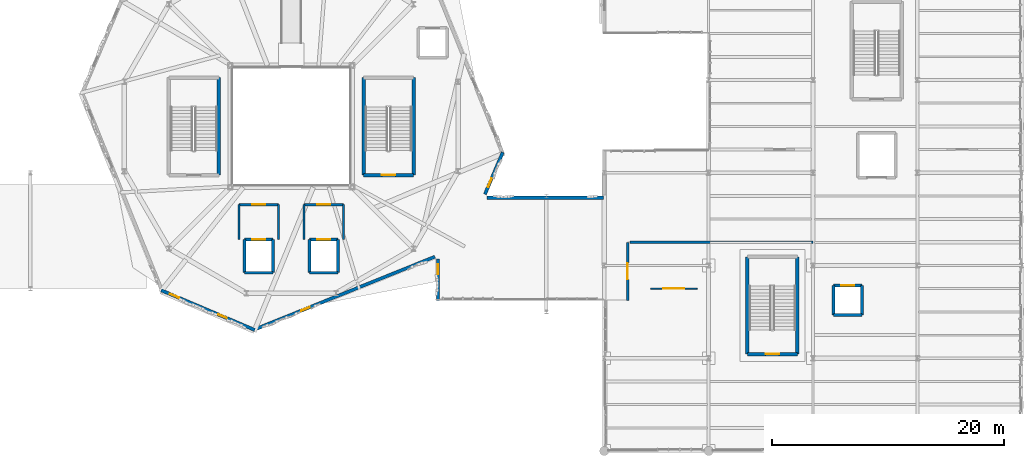
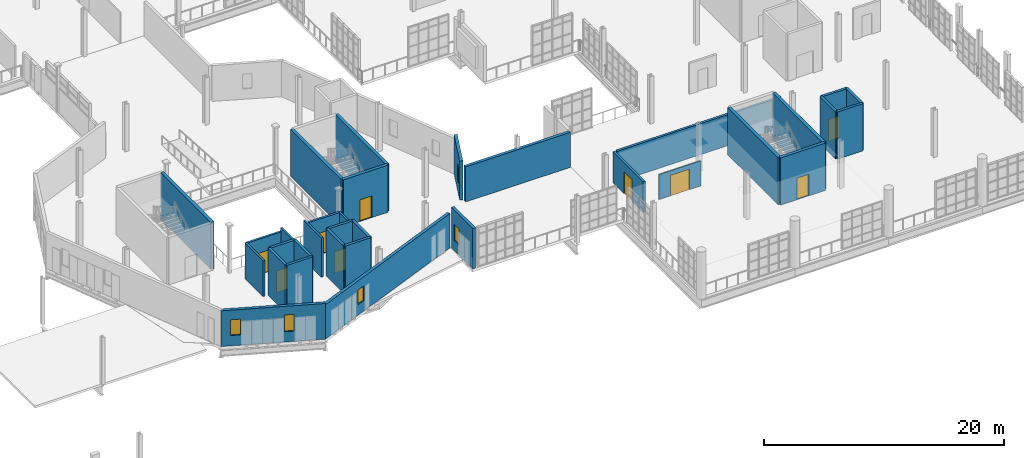
# One storey, part 99 of 122: 33 walls, 9 doors, 5 windows, 14 openings.
"""IFC4 building model written with IfcOpenShell, lengths in metres."""

from ifc_helpers import new_model, si_unit, direction, frame, frame_2d, origin, place, context, subcontext, project, spatial, rectangle, extrude, material, layer, layer_set, type_object, element, fill, save


model = new_model("IFC4")

# Units and contexts
model_context = context("Model", 3, precision=1e-05, world=origin(), true_north=direction((0.0, 1.0)))
body_context = subcontext(model_context, "Body", "Model", "MODEL_VIEW")
ifc_project = project(units=[si_unit("LENGTHUNIT", "METRE"), si_unit("AREAUNIT", "SQUARE_METRE"), si_unit("VOLUMEUNIT", "CUBIC_METRE"), si_unit("PLANEANGLEUNIT", "RADIAN"), si_unit("MASSUNIT", "GRAM", prefix="KILO"), si_unit("THERMODYNAMICTEMPERATUREUNIT", "KELVIN"), si_unit("POWERUNIT", "WATT")], contexts=[model_context])

# Site, building, storey
site_placement = place(None, origin())
site = spatial("IfcSite", under=ifc_project, at=site_placement, CompositionType="ELEMENT")
building_placement = place(site_placement, origin())
building = spatial("IfcBuilding", under=site, at=building_placement, Name="Zelmaris Science Centre", CompositionType="ELEMENT")
storey_placement = place(building_placement, frame((0.0, 0.0, 10.800048828125)))
storey = spatial("IfcBuildingStorey", under=building, at=storey_placement, Name="L02", CompositionType="ELEMENT", Elevation=10.800048828125)

# Wall
ifc_material_1 = material(Name="Concrete C40/50", Category="concrete")
ifc_layer_1 = layer(ifc_material_1, 0.300048828125, Name="Concrete C40/50")
ifc_layer_set_1 = layer_set([ifc_layer_1], Name="Concrete C40/50")
wall_type_1 = type_object("IfcWallType", Name="Core Shear Wall CW-S1 300mm", PredefinedType="SOLIDWALL", material=ifc_layer_set_1)
wall_1_placement = place(storey_placement, frame((74.75, 31.800048828125, 0.0), z_axis=(0.0, 0.0, 1.0), x_axis=(0.0, 1.0, 0.0)))
element("IfcWall", 1, at=wall_1_placement, inside=storey, type_object=wall_type_1, Name="L02 ST-1 core shear wall east", PredefinedType="SOLIDWALL", context=body_context, shape_type="SweptSolid", body=[
    extrude(rectangle(XDim=8.39990234375, YDim=0.300048828125, at=frame_2d((4.199951171875, 0.0))), origin(), (0.0, 0.0, 1.0), 4.800048828125),
])

# Wall, opening, door
wall_2_placement = place(storey_placement, frame((91.550048828125, 31.800048828125, 0.0), z_axis=(0.0, 0.0, 1.0), x_axis=(-1.0, 0.0, 0.0)))
wall_2 = element("IfcWall", 2, at=wall_2_placement, inside=storey, type_object=wall_type_1, Name="L02 ST-2 core shear wall near", PredefinedType="SOLIDWALL", context=body_context, shape_type="SweptSolid", body=[
    extrude(rectangle(XDim=4.300048828125, YDim=0.300048828125, at=frame_2d((2.14990234375, 0.0))), origin(), (0.0, 0.0, 1.0), 4.800048828125),
])
opening_1_placement = place(wall_2_placement, frame((1.574951171875, 0.0, 0.0)))
opening_1 = element("IfcOpeningElement", 3, at=opening_1_placement, cuts=wall_2, Name="Opening D-FD90", PredefinedType="OPENING", context=body_context, shape_type="SweptSolid", body=[
    extrude(rectangle(XDim=1.14990234375, YDim=2.199951171875, at=frame_2d((0.574951171875, 1.10009765625))), frame((0.0, 0.159912109375, 0.0), z_axis=(0.0, -1.0, 0.0), x_axis=(1.0, 0.0, 0.0)), (0.0, 0.0, 1.0), 0.320068359375),
])
ifc_material_2 = material(Name="Steel ASTM A36", Category="steel")
door_type_1 = type_object("IfcDoorType", Name="Interior Door D-FD90 1150x2200", OperationType="NOTDEFINED", PredefinedType="DOOR", material=ifc_material_2)
door_1_placement = place(opening_1_placement, origin())
door_1 = element("IfcDoor", 4, at=door_1_placement, inside=storey, type_object=door_type_1, Name="L02 ST-2 exit stair fire door", OperationType="SINGLE_SWING_LEFT", OverallHeight=2.199951171875, OverallWidth=1.14990234375, PredefinedType="DOOR", context=body_context, shape_type="SweptSolid", body=[
    extrude(rectangle(XDim=1.14990234375, YDim=2.199951171875, at=frame_2d((0.574951171875, 1.10009765625))), frame((0.0, 0.02490234375, 0.0), z_axis=(0.0, -1.0, 0.0), x_axis=(1.0, 0.0, 0.0)), (0.0, 0.0, 1.0), 0.050048828125),
])
fill(opening_1, door_1)

# Walls
for number, where, z_axis, x_axis, name in (
    (5, (91.550048828125, 31.800048828125, 0.0), (0.0, 0.0, 1.0), (0.0, 1.0, 0.0), "L02 ST-2 core shear wall east"),
    (6, (87.25, 31.800048828125, 0.0), (0.0, 0.0, 1.0), (0.0, 1.0, 0.0), "L02 ST-2 core shear wall west"),
):
    element("IfcWall", number, at=place(storey_placement, frame(where, z_axis=z_axis, x_axis=x_axis)), inside=storey, type_object=wall_type_1, Name=name, PredefinedType="SOLIDWALL", context=body_context, shape_type="SweptSolid", body=[
        extrude(rectangle(XDim=8.39990234375, YDim=0.300048828125, at=frame_2d((4.199951171875, 0.0))), origin(), (0.0, 0.0, 1.0), 4.800048828125),
    ])

# Wall, opening, door
wall_3_placement = place(storey_placement, frame((124.64990234375, 16.35009765625, 0.0), z_axis=(0.0, 0.0, 1.0), x_axis=(-1.0, 0.0, 0.0)))
wall_3 = element("IfcWall", 7, at=wall_3_placement, inside=storey, type_object=wall_type_1, Name="L02 ST-4 core shear wall near", PredefinedType="SOLIDWALL", context=body_context, shape_type="SweptSolid", body=[
    extrude(rectangle(XDim=4.2998046875, YDim=0.300048828125, at=frame_2d((2.14990234375, 0.0))), origin(), (0.0, 0.0, 1.0), 4.800048828125),
])
opening_2_placement = place(wall_3_placement, frame((1.574951171875, 0.0, 0.0)))
opening_2 = element("IfcOpeningElement", 8, at=opening_2_placement, cuts=wall_3, Name="Opening D-FD90", PredefinedType="OPENING", context=body_context, shape_type="SweptSolid", body=[
    extrude(rectangle(XDim=1.14990234375, YDim=2.199951171875, at=frame_2d((0.574951171875, 1.10009765625))), frame((0.0, 0.159912109375, 0.0), z_axis=(0.0, -1.0, 0.0), x_axis=(1.0, 0.0, 0.0)), (0.0, 0.0, 1.0), 0.320068359375),
])
door_2_placement = place(opening_2_placement, origin())
door_2 = element("IfcDoor", 9, at=door_2_placement, inside=storey, type_object=door_type_1, Name="L02 ST-4 exit stair fire door", OperationType="SINGLE_SWING_LEFT", OverallHeight=2.199951171875, OverallWidth=1.14990234375, PredefinedType="DOOR", context=body_context, shape_type="SweptSolid", body=[
    extrude(rectangle(XDim=1.14990234375, YDim=2.199951171875, at=frame_2d((0.574951171875, 1.10009765625))), frame((0.0, 0.02490234375, 0.0), z_axis=(0.0, -1.0, 0.0), x_axis=(1.0, 0.0, 0.0)), (0.0, 0.0, 1.0), 0.050048828125),
])
fill(opening_2, door_2)

# Walls
for number, where, z_axis, x_axis, name in (
    (10, (124.64990234375, 16.35009765625, 0.0), (0.0, 0.0, 1.0), (0.0, 1.0, 0.0), "L02 ST-4 core shear wall east"),
    (11, (120.35009765625, 16.35009765625, 0.0), (0.0, 0.0, 1.0), (0.0, 1.0, 0.0), "L02 ST-4 core shear wall west"),
):
    element("IfcWall", number, at=place(storey_placement, frame(where, z_axis=z_axis, x_axis=x_axis)), inside=storey, type_object=wall_type_1, Name=name, PredefinedType="SOLIDWALL", context=body_context, shape_type="SweptSolid", body=[
        extrude(rectangle(XDim=8.39990234375, YDim=0.300048828125, at=frame_2d((4.199951171875, 0.0))), origin(), (0.0, 0.0, 1.0), 4.800048828125),
    ])
ifc_layer_2 = layer(ifc_material_1, 0.25, Name="Concrete C40/50")
ifc_layer_set_2 = layer_set([ifc_layer_2], Name="Concrete C40/50")
wall_type_2 = type_object("IfcWallType", Name="Core Shear Wall CW-S2 250mm", PredefinedType="SOLIDWALL", material=ifc_layer_set_2)
wall_4_placement = place(storey_placement, frame((76.97509765625, 23.375, 0.0), z_axis=(0.0, 0.0, 1.0), x_axis=(1.0, 0.0, 0.0)))
element("IfcWall", 12, at=wall_4_placement, inside=storey, type_object=wall_type_2, Name="L02 FL-01 lift shaft wall -y", PredefinedType="SOLIDWALL", context=body_context, shape_type="SweptSolid", body=[
    extrude(rectangle(XDim=2.449951171875, YDim=0.25, at=frame_2d((1.22509765625, 0.0))), origin(), (0.0, 0.0, 1.0), 4.800048828125),
])
wall_5_placement = place(storey_placement, frame((79.425048828125, 23.375, 0.0), z_axis=(0.0, 0.0, 1.0), x_axis=(0.0, 1.0, 0.0)))
element("IfcWall", 13, at=wall_5_placement, inside=storey, type_object=wall_type_2, Name="L02 FL-01 lift shaft wall +x", PredefinedType="SOLIDWALL", context=body_context, shape_type="SweptSolid", body=[
    extrude(rectangle(XDim=2.85009765625, YDim=0.25, at=frame_2d((1.425048828125, 0.0))), origin(), (0.0, 0.0, 1.0), 4.800048828125),
])

# Wall, opening, door
wall_6_placement = place(storey_placement, frame((79.425048828125, 26.22509765625, 0.0), z_axis=(0.0, 0.0, 1.0), x_axis=(-1.0, 0.0, 0.0)))
wall_6 = element("IfcWall", 14, at=wall_6_placement, inside=storey, type_object=wall_type_2, Name="L02 FL-01 lift shaft wall +y", PredefinedType="SOLIDWALL", context=body_context, shape_type="SweptSolid", body=[
    extrude(rectangle(XDim=2.449951171875, YDim=0.25, at=frame_2d((1.22509765625, 0.0))), origin(), (0.0, 0.0, 1.0), 4.800048828125),
])
opening_3_placement = place(wall_6_placement, frame((0.675048828125, 0.0, 0.0)))
opening_3 = element("IfcOpeningElement", 15, at=opening_3_placement, cuts=wall_6, Name="Opening LD-01", PredefinedType="OPENING", context=body_context, shape_type="SweptSolid", body=[
    extrude(rectangle(XDim=1.10009765625, YDim=2.199951171875, at=frame_2d((0.550048828125, 1.10009765625))), frame((0.0, 0.135009765625, 0.0), z_axis=(0.0, -1.0, 0.0), x_axis=(1.0, 0.0, 0.0)), (0.0, 0.0, 1.0), 0.27001953125),
])
door_type_2 = type_object("IfcDoorType", Name="Interior Door LD-01 1100x2200", OperationType="SLIDING_TO_LEFT", PredefinedType="DOOR", material=ifc_material_2)
door_3_placement = place(opening_3_placement, origin())
door_3 = element("IfcDoor", 16, at=door_3_placement, inside=storey, type_object=door_type_2, Name="Landing door LD-FL-01-L02", OperationType="SLIDING_TO_LEFT", OverallHeight=2.199951171875, OverallWidth=1.10009765625, PredefinedType="DOOR", context=body_context, shape_type="SweptSolid", body=[
    extrude(rectangle(XDim=1.10009765625, YDim=2.199951171875, at=frame_2d((0.550048828125, 1.10009765625))), frame((0.0, 0.02490234375, 0.0), z_axis=(0.0, -1.0, 0.0), x_axis=(1.0, 0.0, 0.0)), (0.0, 0.0, 1.0), 0.050048828125),
])
fill(opening_3, door_3)

# Walls
wall_7_placement = place(storey_placement, frame((76.97509765625, 26.22509765625, 0.0), z_axis=(0.0, 0.0, 1.0), x_axis=(0.0, -1.0, 0.0)))
element("IfcWall", 17, at=wall_7_placement, inside=storey, type_object=wall_type_2, Name="L02 FL-01 lift shaft wall -x", PredefinedType="SOLIDWALL", context=body_context, shape_type="SweptSolid", body=[
    extrude(rectangle(XDim=2.85009765625, YDim=0.25, at=frame_2d((1.425048828125, 0.0))), origin(), (0.0, 0.0, 1.0), 4.800048828125),
])
wall_8_placement = place(storey_placement, frame((82.574951171875, 23.375, 0.0), z_axis=(0.0, 0.0, 1.0), x_axis=(1.0, 0.0, 0.0)))
element("IfcWall", 18, at=wall_8_placement, inside=storey, type_object=wall_type_2, Name="L02 FL-02 lift shaft wall -y", PredefinedType="SOLIDWALL", context=body_context, shape_type="SweptSolid", body=[
    extrude(rectangle(XDim=2.449951171875, YDim=0.25, at=frame_2d((1.22509765625, 0.0))), origin(), (0.0, 0.0, 1.0), 4.800048828125),
])
wall_9_placement = place(storey_placement, frame((85.02490234375, 23.375, 0.0), z_axis=(0.0, 0.0, 1.0), x_axis=(0.0, 1.0, 0.0)))
element("IfcWall", 19, at=wall_9_placement, inside=storey, type_object=wall_type_2, Name="L02 FL-02 lift shaft wall +x", PredefinedType="SOLIDWALL", context=body_context, shape_type="SweptSolid", body=[
    extrude(rectangle(XDim=2.85009765625, YDim=0.25, at=frame_2d((1.425048828125, 0.0))), origin(), (0.0, 0.0, 1.0), 4.800048828125),
])

# Wall, opening, door
wall_10_placement = place(storey_placement, frame((85.02490234375, 26.22509765625, 0.0), z_axis=(0.0, 0.0, 1.0), x_axis=(-1.0, 0.0, 0.0)))
wall_10 = element("IfcWall", 20, at=wall_10_placement, inside=storey, type_object=wall_type_2, Name="L02 FL-02 lift shaft wall +y", PredefinedType="SOLIDWALL", context=body_context, shape_type="SweptSolid", body=[
    extrude(rectangle(XDim=2.449951171875, YDim=0.25, at=frame_2d((1.22509765625, 0.0))), origin(), (0.0, 0.0, 1.0), 4.800048828125),
])
opening_4_placement = place(wall_10_placement, frame((0.675048828125, 0.0, 0.0)))
opening_4 = element("IfcOpeningElement", 21, at=opening_4_placement, cuts=wall_10, Name="Opening LD-01", PredefinedType="OPENING", context=body_context, shape_type="SweptSolid", body=[
    extrude(rectangle(XDim=1.10009765625, YDim=2.199951171875, at=frame_2d((0.550048828125, 1.10009765625))), frame((0.0, 0.135009765625, 0.0), z_axis=(0.0, -1.0, 0.0), x_axis=(1.0, 0.0, 0.0)), (0.0, 0.0, 1.0), 0.27001953125),
])
door_4_placement = place(opening_4_placement, origin())
door_4 = element("IfcDoor", 22, at=door_4_placement, inside=storey, type_object=door_type_2, Name="Landing door LD-FL-02-L02", OperationType="SLIDING_TO_LEFT", OverallHeight=2.199951171875, OverallWidth=1.10009765625, PredefinedType="DOOR", context=body_context, shape_type="SweptSolid", body=[
    extrude(rectangle(XDim=1.10009765625, YDim=2.199951171875, at=frame_2d((0.550048828125, 1.10009765625))), frame((0.0, 0.02490234375, 0.0), z_axis=(0.0, -1.0, 0.0), x_axis=(1.0, 0.0, 0.0)), (0.0, 0.0, 1.0), 0.050048828125),
])
fill(opening_4, door_4)

# Walls
wall_11_placement = place(storey_placement, frame((82.574951171875, 26.22509765625, 0.0), z_axis=(0.0, 0.0, 1.0), x_axis=(0.0, -1.0, 0.0)))
element("IfcWall", 23, at=wall_11_placement, inside=storey, type_object=wall_type_2, Name="L02 FL-02 lift shaft wall -x", PredefinedType="SOLIDWALL", context=body_context, shape_type="SweptSolid", body=[
    extrude(rectangle(XDim=2.85009765625, YDim=0.25, at=frame_2d((1.425048828125, 0.0))), origin(), (0.0, 0.0, 1.0), 4.800048828125),
])
wall_12_placement = place(storey_placement, frame((127.77490234375, 19.72509765625, 0.0), z_axis=(0.0, 0.0, 1.0), x_axis=(1.0, 0.0, 0.0)))
element("IfcWall", 24, at=wall_12_placement, inside=storey, type_object=wall_type_2, Name="L02 LP-02 lift shaft wall -y", PredefinedType="SOLIDWALL", context=body_context, shape_type="SweptSolid", body=[
    extrude(rectangle(XDim=2.4501953125, YDim=0.25, at=frame_2d((1.22509765625, 0.0))), origin(), (0.0, 0.0, 1.0), 4.800048828125),
])
wall_13_placement = place(storey_placement, frame((130.22509765625, 19.72509765625, 0.0), z_axis=(0.0, 0.0, 1.0), x_axis=(0.0, 1.0, 0.0)))
element("IfcWall", 25, at=wall_13_placement, inside=storey, type_object=wall_type_2, Name="L02 LP-02 lift shaft wall +x", PredefinedType="SOLIDWALL", context=body_context, shape_type="SweptSolid", body=[
    extrude(rectangle(XDim=2.5498046875, YDim=0.25, at=frame_2d((1.27490234375, 0.0))), origin(), (0.0, 0.0, 1.0), 4.800048828125),
])

# Wall, opening, door
wall_14_placement = place(storey_placement, frame((130.22509765625, 22.27490234375, 0.0), z_axis=(0.0, 0.0, 1.0), x_axis=(-1.0, 0.0, 0.0)))
wall_14 = element("IfcWall", 26, at=wall_14_placement, inside=storey, type_object=wall_type_2, Name="L02 LP-02 lift shaft wall +y", PredefinedType="SOLIDWALL", context=body_context, shape_type="SweptSolid", body=[
    extrude(rectangle(XDim=2.4501953125, YDim=0.25, at=frame_2d((1.22509765625, 0.0))), origin(), (0.0, 0.0, 1.0), 4.800048828125),
])
opening_5_placement = place(wall_14_placement, frame((0.675048828125, 0.0, 0.0)))
opening_5 = element("IfcOpeningElement", 27, at=opening_5_placement, cuts=wall_14, Name="Opening LD-01", PredefinedType="OPENING", context=body_context, shape_type="SweptSolid", body=[
    extrude(rectangle(XDim=1.10009765625, YDim=2.199951171875, at=frame_2d((0.550048828125, 1.10009765625))), frame((0.0, 0.135009765625, 0.0), z_axis=(0.0, -1.0, 0.0), x_axis=(1.0, 0.0, 0.0)), (0.0, 0.0, 1.0), 0.27001953125),
])
door_5_placement = place(opening_5_placement, origin())
door_5 = element("IfcDoor", 28, at=door_5_placement, inside=storey, type_object=door_type_2, Name="Landing door LD-LP-02-L02", OperationType="SLIDING_TO_LEFT", OverallHeight=2.199951171875, OverallWidth=1.10009765625, PredefinedType="DOOR", context=body_context, shape_type="SweptSolid", body=[
    extrude(rectangle(XDim=1.10009765625, YDim=2.199951171875, at=frame_2d((0.550048828125, 1.10009765625))), frame((0.0, 0.02490234375, 0.0), z_axis=(0.0, -1.0, 0.0), x_axis=(1.0, 0.0, 0.0)), (0.0, 0.0, 1.0), 0.050048828125),
])
fill(opening_5, door_5)

# Wall
wall_15_placement = place(storey_placement, frame((127.77490234375, 22.27490234375, 0.0), z_axis=(0.0, 0.0, 1.0), x_axis=(0.0, -1.0, 0.0)))
element("IfcWall", 29, at=wall_15_placement, inside=storey, type_object=wall_type_2, Name="L02 LP-02 lift shaft wall -x", PredefinedType="SOLIDWALL", context=body_context, shape_type="SweptSolid", body=[
    extrude(rectangle(XDim=2.5498046875, YDim=0.25, at=frame_2d((1.27490234375, 0.0))), origin(), (0.0, 0.0, 1.0), 4.800048828125),
])

# Wall, opening, window
ifc_material_3 = material(Name="Precast concrete C40/50", Category="concrete")
ifc_layer_3 = layer(ifc_material_3, 0.280029296875, Name="Precast concrete C40/50")
ifc_layer_set_3 = layer_set([ifc_layer_3], Name="Precast concrete C40/50")
wall_type_3 = type_object("IfcWallType", Name="Exterior Wall EW-05 280mm", PredefinedType="SOLIDWALL", material=ifc_layer_set_3)
wall_16_placement = place(storey_placement, frame((93.66015625, 21.0, 0.0), z_axis=(0.0, 0.0, 1.0), x_axis=(-6.8851556e-05, 0.99999999763, 0.0)))
wall_16 = element("IfcWall", 30, at=wall_16_placement, inside=storey, type_object=wall_type_3, Name="L02 Exterior wall 88", PredefinedType="SOLIDWALL", context=body_context, shape_type="SweptSolid", body=[
    extrude(rectangle(XDim=3.5458984375, YDim=0.280029296875, at=frame_2d((1.77294921875, 0.0))), origin(), (0.0, 0.0, 1.0), 4.119873046875),
])
opening_6_placement = place(wall_16_placement, frame((2.247802734375, 0.0, 1.050048828125)))
opening_6 = element("IfcOpeningElement", 31, at=opening_6_placement, cuts=wall_16, Name="Opening W-TR3", PredefinedType="OPENING", context=body_context, shape_type="SweptSolid", body=[
    extrude(rectangle(XDim=0.85009765625, YDim=1.60009765625, at=frame_2d((0.425048828125, 0.800048828125))), frame((0.0, 0.14990234375, 0.0), z_axis=(0.0, -1.0, 0.0), x_axis=(1.0, 0.0, 0.0)), (0.0, 0.0, 1.0), 0.300048828125),
])
ifc_material_4 = material(Name="Laminated hurricane-rated low-E insulated glazing", Category="glass")
window_type_1 = type_object("IfcWindowType", Name="Window W-TR3 850x1600", PartitioningType="SINGLE_PANEL", PredefinedType="WINDOW", material=ifc_material_4)
window_1_placement = place(opening_6_placement, origin())
window_1 = element("IfcWindow", 32, at=window_1_placement, inside=storey, type_object=window_type_1, Name="L02 Triangular faceted window 42", OverallHeight=1.60009765625, OverallWidth=0.85009765625, PartitioningType="SINGLE_PANEL", PredefinedType="WINDOW", context=body_context, shape_type="SweptSolid", body=[
    extrude(rectangle(XDim=0.85009765625, YDim=1.60009765625, at=frame_2d((0.425048828125, 0.800048828125))), frame((0.0, 0.030029296875, 0.0), z_axis=(0.0, -1.0, 0.0), x_axis=(1.0, 0.0, 0.0)), (0.0, 0.0, 1.0), 0.06005859375),
])
fill(opening_6, window_1)

wall_17_placement = place(storey_placement, frame((93.39208984375, 24.7529296875, 0.0), z_axis=(0.0, 0.0, 1.0), x_axis=(-0.927410810768, -0.374044366448, 0.0)))
wall_17 = element("IfcWall", 33, at=wall_17_placement, inside=storey, type_object=wall_type_3, Name="L02 Exterior wall 89", PredefinedType="SOLIDWALL", context=body_context, shape_type="SweptSolid", body=[
    extrude(rectangle(XDim=16.883544921875, YDim=0.280029296875, at=frame_2d((8.44189453125, 0.0))), origin(), (0.0, 0.0, 1.0), 3.48388671875),
])
opening_7_placement = place(wall_17_placement, frame((11.641845703125, 0.0, 1.050048828125)))
opening_7 = element("IfcOpeningElement", 34, at=opening_7_placement, cuts=wall_17, Name="Opening W-TR1", PredefinedType="OPENING", context=body_context, shape_type="SweptSolid", body=[
    extrude(rectangle(XDim=0.800048828125, YDim=1.5, at=frame_2d((0.39990234375, 0.75))), frame((0.0, 0.14990234375, 0.0), z_axis=(0.0, -1.0, 0.0), x_axis=(1.0, 0.0, 0.0)), (0.0, 0.0, 1.0), 0.300048828125),
])
window_type_2 = type_object("IfcWindowType", Name="Window W-TR1 800x1500", PartitioningType="SINGLE_PANEL", PredefinedType="WINDOW", material=ifc_material_4)
window_2_placement = place(opening_7_placement, origin())
window_2 = element("IfcWindow", 35, at=window_2_placement, inside=storey, type_object=window_type_2, Name="L02 Triangular faceted window 43", OverallHeight=1.5, OverallWidth=0.800048828125, PartitioningType="SINGLE_PANEL", PredefinedType="WINDOW", context=body_context, shape_type="SweptSolid", body=[
    extrude(rectangle(XDim=0.800048828125, YDim=1.5, at=frame_2d((0.39990234375, 0.75))), frame((0.0, 0.030029296875, 0.0), z_axis=(0.0, -1.0, 0.0), x_axis=(1.0, 0.0, 0.0)), (0.0, 0.0, 1.0), 0.06005859375),
])
fill(opening_7, window_2)

# Wall, openings, windows
wall_18_placement = place(storey_placement, frame((77.8564453125, 18.4365234375, 0.0), z_axis=(0.0, 0.0, 1.0), x_axis=(-0.920511993367, 0.390714307478, 0.0)))
wall_18 = element("IfcWall", 36, at=wall_18_placement, inside=storey, type_object=wall_type_3, Name="L02 Exterior wall 90", PredefinedType="SOLIDWALL", context=body_context, shape_type="SweptSolid", body=[
    extrude(rectangle(XDim=8.76806640625, YDim=0.280029296875, at=frame_2d((4.384033203125, 0.0))), origin(), (0.0, 0.0, 1.0), 3.62890625),
])
opening_8_placement = place(wall_18_placement, frame((2.634033203125, 0.0, 1.050048828125)))
opening_8 = element("IfcOpeningElement", 37, at=opening_8_placement, cuts=wall_18, Name="Opening W-TR2", PredefinedType="OPENING", context=body_context, shape_type="SweptSolid", body=[
    extrude(rectangle(XDim=0.800048828125, YDim=1.699951171875, at=frame_2d((0.39990234375, 0.85009765625))), frame((0.0, 0.14990234375, 0.0), z_axis=(0.0, -1.0, 0.0), x_axis=(1.0, 0.0, 0.0)), (0.0, 0.0, 1.0), 0.300048828125),
])
opening_9_placement = place(wall_18_placement, frame((7.10888671875, 0.0, 1.050048828125)))
opening_9 = element("IfcOpeningElement", 38, at=opening_9_placement, cuts=wall_18, Name="Opening W-TR3", PredefinedType="OPENING", context=body_context, shape_type="SweptSolid", body=[
    extrude(rectangle(XDim=0.85009765625, YDim=1.60009765625, at=frame_2d((0.425048828125, 0.800048828125))), frame((0.0, 0.14990234375, 0.0), z_axis=(0.0, -1.0, 0.0), x_axis=(1.0, 0.0, 0.0)), (0.0, 0.0, 1.0), 0.300048828125),
])
window_type_3 = type_object("IfcWindowType", Name="Window W-TR2 800x1700", PartitioningType="SINGLE_PANEL", PredefinedType="WINDOW", material=ifc_material_4)
window_3_placement = place(opening_8_placement, origin())
window_3 = element("IfcWindow", 39, at=window_3_placement, inside=storey, type_object=window_type_3, Name="L02 Triangular faceted window 44", OverallHeight=1.699951171875, OverallWidth=0.800048828125, PartitioningType="SINGLE_PANEL", PredefinedType="WINDOW", context=body_context, shape_type="SweptSolid", body=[
    extrude(rectangle(XDim=0.800048828125, YDim=1.699951171875, at=frame_2d((0.39990234375, 0.85009765625))), frame((0.0, 0.030029296875, 0.0), z_axis=(0.0, -1.0, 0.0), x_axis=(1.0, 0.0, 0.0)), (0.0, 0.0, 1.0), 0.06005859375),
])
fill(opening_8, window_3)
window_4_placement = place(opening_9_placement, origin())
window_4 = element("IfcWindow", 40, at=window_4_placement, inside=storey, type_object=window_type_1, Name="L02 Triangular faceted window 45", OverallHeight=1.60009765625, OverallWidth=0.85009765625, PartitioningType="SINGLE_PANEL", PredefinedType="WINDOW", context=body_context, shape_type="SweptSolid", body=[
    extrude(rectangle(XDim=0.85009765625, YDim=1.60009765625, at=frame_2d((0.425048828125, 0.800048828125))), frame((0.0, 0.030029296875, 0.0), z_axis=(0.0, -1.0, 0.0), x_axis=(1.0, 0.0, 0.0)), (0.0, 0.0, 1.0), 0.06005859375),
])
fill(opening_9, window_4)

# Wall, opening, window
wall_19_placement = place(storey_placement, frame((99.245361328125, 33.764892578125, 0.0), z_axis=(0.0, 0.0, 1.0), x_axis=(-0.390731644119, -0.92050463458, 0.0)))
wall_19 = element("IfcWall", 41, at=wall_19_placement, inside=storey, type_object=wall_type_3, Name="L02 Exterior wall 104", PredefinedType="SOLIDWALL", context=body_context, shape_type="SweptSolid", body=[
    extrude(rectangle(XDim=3.931396484375, YDim=0.280029296875, at=frame_2d((1.9658203125, 0.0))), origin(), (0.0, 0.0, 1.0), 3.947021484375),
])
opening_10_placement = place(wall_19_placement, frame((2.4658203125, 0.0, 1.050048828125)))
opening_10 = element("IfcOpeningElement", 42, at=opening_10_placement, cuts=wall_19, Name="Opening W-TR2", PredefinedType="OPENING", context=body_context, shape_type="SweptSolid", body=[
    extrude(rectangle(XDim=0.800048828125, YDim=1.699951171875, at=frame_2d((0.39990234375, 0.85009765625))), frame((0.0, 0.14990234375, 0.0), z_axis=(0.0, -1.0, 0.0), x_axis=(1.0, 0.0, 0.0)), (0.0, 0.0, 1.0), 0.300048828125),
])
window_5_placement = place(opening_10_placement, origin())
window_5 = element("IfcWindow", 43, at=window_5_placement, inside=storey, type_object=window_type_3, Name="L02 Triangular faceted window 59", OverallHeight=1.699951171875, OverallWidth=0.800048828125, PartitioningType="SINGLE_PANEL", PredefinedType="WINDOW", context=body_context, shape_type="SweptSolid", body=[
    extrude(rectangle(XDim=0.800048828125, YDim=1.699951171875, at=frame_2d((0.39990234375, 0.85009765625))), frame((0.0, 0.030029296875, 0.0), z_axis=(0.0, -1.0, 0.0), x_axis=(1.0, 0.0, 0.0)), (0.0, 0.0, 1.0), 0.06005859375),
])
fill(opening_10, window_5)

# Walls
wall_20_placement = place(storey_placement, frame((97.878173828125, 29.85009765625, 0.0), z_axis=(0.0, 0.0, 1.0), x_axis=(0.999999619377, -0.000872494275, 0.0)))
element("IfcWall", 44, at=wall_20_placement, inside=storey, type_object=wall_type_3, Name="L02 Exterior wall 105", PredefinedType="SOLIDWALL", context=body_context, shape_type="SweptSolid", body=[
    extrude(rectangle(XDim=10.073486328125, YDim=0.280029296875, at=frame_2d((5.03662109375, 0.0))), origin(), (0.0, 0.0, 1.0), 3.572998046875),
])
ifc_material_5 = material(Name="Autoclaved aerated concrete blockwork", Category="masonry")
ifc_layer_4 = layer(ifc_material_5, 0.199951171875, Name="Autoclaved aerated concrete blockwork")
ifc_layer_set_4 = layer_set([ifc_layer_4], Name="Autoclaved aerated concrete blockwork")
wall_type_4 = type_object("IfcWallType", Name="Interior Wall FW-01 200mm", PredefinedType="SOLIDWALL", material=ifc_layer_set_4)
wall_21_placement = place(storey_placement, frame((76.5, 26.25, 0.0), z_axis=(0.0, 0.0, 1.0), x_axis=(0.0, 1.0, 0.0)))
element("IfcWall", 45, at=wall_21_placement, inside=storey, type_object=wall_type_4, Name="L02 Firefighting Lobby FL-01 wall W", PredefinedType="SOLIDWALL", context=body_context, shape_type="SweptSolid", body=[
    extrude(rectangle(XDim=3.0, YDim=0.199951171875, at=frame_2d((1.5, 0.0))), origin(), (0.0, 0.0, 1.0), 3.62890625),
])
wall_22_placement = place(storey_placement, frame((79.89990234375, 26.25, 0.0), z_axis=(0.0, 0.0, 1.0), x_axis=(0.0, 1.0, 0.0)))
element("IfcWall", 46, at=wall_22_placement, inside=storey, type_object=wall_type_4, Name="L02 Firefighting Lobby FL-01 wall E", PredefinedType="SOLIDWALL", context=body_context, shape_type="SweptSolid", body=[
    extrude(rectangle(XDim=3.0, YDim=0.199951171875, at=frame_2d((1.5, 0.0))), origin(), (0.0, 0.0, 1.0), 3.989990234375),
])

# Wall, opening, door
wall_23_placement = place(storey_placement, frame((76.5, 29.25, 0.0), z_axis=(0.0, 0.0, 1.0), x_axis=(1.0, 0.0, 0.0)))
wall_23 = element("IfcWall", 47, at=wall_23_placement, inside=storey, type_object=wall_type_4, Name="L02 Firefighting Lobby FL-01 wall N", PredefinedType="SOLIDWALL", context=body_context, shape_type="SweptSolid", body=[
    extrude(rectangle(XDim=3.39990234375, YDim=0.199951171875, at=frame_2d((1.699951171875, 0.0))), origin(), (0.0, 0.0, 1.0), 3.62890625),
])
opening_11_placement = place(wall_23_placement, frame((1.14990234375, 0.0, 0.0)))
opening_11 = element("IfcOpeningElement", 48, at=opening_11_placement, cuts=wall_23, Name="Opening D-FD60", PredefinedType="OPENING", context=body_context, shape_type="SweptSolid", body=[
    extrude(rectangle(XDim=1.10009765625, YDim=2.199951171875, at=frame_2d((0.550048828125, 1.10009765625))), frame((0.0, 0.10986328125, 0.0), z_axis=(0.0, -1.0, 0.0), x_axis=(1.0, 0.0, 0.0)), (0.0, 0.0, 1.0), 0.219970703125),
])
door_type_3 = type_object("IfcDoorType", Name="Interior Door D-FD60 1100x2200", OperationType="NOTDEFINED", PredefinedType="DOOR", material=ifc_material_2)
door_6_placement = place(opening_11_placement, origin())
door_6 = element("IfcDoor", 49, at=door_6_placement, inside=storey, type_object=door_type_3, Name="L02 Firefighting Lobby FL-01 fire door", OperationType="SINGLE_SWING_RIGHT", OverallHeight=2.199951171875, OverallWidth=1.10009765625, PredefinedType="DOOR", context=body_context, shape_type="SweptSolid", body=[
    extrude(rectangle(XDim=1.10009765625, YDim=2.199951171875, at=frame_2d((0.550048828125, 1.10009765625))), frame((0.0, 0.02490234375, 0.0), z_axis=(0.0, -1.0, 0.0), x_axis=(1.0, 0.0, 0.0)), (0.0, 0.0, 1.0), 0.050048828125),
])
fill(opening_11, door_6)

# Walls
wall_24_placement = place(storey_placement, frame((82.10009765625, 26.25, 0.0), z_axis=(0.0, 0.0, 1.0), x_axis=(0.0, 1.0, 0.0)))
element("IfcWall", 50, at=wall_24_placement, inside=storey, type_object=wall_type_4, Name="L02 Firefighting Lobby FL-02 wall W", PredefinedType="SOLIDWALL", context=body_context, shape_type="SweptSolid", body=[
    extrude(rectangle(XDim=3.0, YDim=0.199951171875, at=frame_2d((1.5, 0.0))), origin(), (0.0, 0.0, 1.0), 3.989990234375),
])
wall_25_placement = place(storey_placement, frame((85.5, 26.25, 0.0), z_axis=(0.0, 0.0, 1.0), x_axis=(0.0, 1.0, 0.0)))
element("IfcWall", 51, at=wall_25_placement, inside=storey, type_object=wall_type_4, Name="L02 Firefighting Lobby FL-02 wall E", PredefinedType="SOLIDWALL", context=body_context, shape_type="SweptSolid", body=[
    extrude(rectangle(XDim=3.0, YDim=0.199951171875, at=frame_2d((1.5, 0.0))), origin(), (0.0, 0.0, 1.0), 3.634033203125),
])

# Wall, opening, door
wall_26_placement = place(storey_placement, frame((82.10009765625, 29.25, 0.0), z_axis=(0.0, 0.0, 1.0), x_axis=(1.0, 0.0, 0.0)))
wall_26 = element("IfcWall", 52, at=wall_26_placement, inside=storey, type_object=wall_type_4, Name="L02 Firefighting Lobby FL-02 wall N", PredefinedType="SOLIDWALL", context=body_context, shape_type="SweptSolid", body=[
    extrude(rectangle(XDim=3.39990234375, YDim=0.199951171875, at=frame_2d((1.699951171875, 0.0))), origin(), (0.0, 0.0, 1.0), 3.634033203125),
])
opening_12_placement = place(wall_26_placement, frame((1.14990234375, 0.0, 0.0)))
opening_12 = element("IfcOpeningElement", 53, at=opening_12_placement, cuts=wall_26, Name="Opening D-FD60", PredefinedType="OPENING", context=body_context, shape_type="SweptSolid", body=[
    extrude(rectangle(XDim=1.10009765625, YDim=2.199951171875, at=frame_2d((0.550048828125, 1.10009765625))), frame((0.0, 0.10986328125, 0.0), z_axis=(0.0, -1.0, 0.0), x_axis=(1.0, 0.0, 0.0)), (0.0, 0.0, 1.0), 0.219970703125),
])
door_7_placement = place(opening_12_placement, origin())
door_7 = element("IfcDoor", 54, at=door_7_placement, inside=storey, type_object=door_type_3, Name="L02 Firefighting Lobby FL-02 fire door", OperationType="SINGLE_SWING_LEFT", OverallHeight=2.199951171875, OverallWidth=1.10009765625, PredefinedType="DOOR", context=body_context, shape_type="SweptSolid", body=[
    extrude(rectangle(XDim=1.10009765625, YDim=2.199951171875, at=frame_2d((0.550048828125, 1.10009765625))), frame((0.0, 0.02490234375, 0.0), z_axis=(0.0, -1.0, 0.0), x_axis=(1.0, 0.0, 0.0)), (0.0, 0.0, 1.0), 0.050048828125),
])
fill(opening_12, door_7)

ifc_layer_5 = layer(ifc_material_5, 0.219970703125, Name="Autoclaved aerated concrete blockwork")
ifc_layer_set_5 = layer_set([ifc_layer_5], Name="Autoclaved aerated concrete blockwork")
wall_type_5 = type_object("IfcWallType", Name="Interior Wall FW-02 220mm", PredefinedType="SOLIDWALL", material=ifc_layer_set_5)
wall_27_placement = place(storey_placement, frame((110.0048828125, 20.99853515625, 0.0), z_axis=(0.0, 0.0, 1.0), x_axis=(0.0, 1.0, 0.0)))
wall_27 = element("IfcWall", 55, at=wall_27_placement, inside=storey, type_object=wall_type_5, Name="L02 Electronics and Sensor Dry Laboratory partition 50", PredefinedType="SOLIDWALL", context=body_context, shape_type="SweptSolid", body=[
    extrude(rectangle(XDim=5.00146484375, YDim=0.219970703125, at=frame_2d((2.500732421875, 0.0))), origin(), (0.0, 0.0, 1.0), 3.14990234375),
])
opening_13_placement = place(wall_27_placement, frame((1.80078125, 0.0, 0.0)))
opening_13 = element("IfcOpeningElement", 56, at=opening_13_placement, cuts=wall_27, Name="Opening D-IN9", PredefinedType="OPENING", context=body_context, shape_type="SweptSolid", body=[
    extrude(rectangle(XDim=1.39990234375, YDim=2.25, at=frame_2d((0.699951171875, 1.125))), frame((0.0, 0.119873046875, 0.0), z_axis=(0.0, -1.0, 0.0), x_axis=(1.0, 0.0, 0.0)), (0.0, 0.0, 1.0), 0.239990234375),
])
door_type_4 = type_object("IfcDoorType", Name="Interior Door D-IN9 1400x2250", OperationType="NOTDEFINED", PredefinedType="DOOR", material=ifc_material_2)
door_8_placement = place(opening_13_placement, origin())
door_8 = element("IfcDoor", 57, at=door_8_placement, inside=storey, type_object=door_type_4, Name="L02 Electronics and Sensor Dry Laboratory door", OperationType="SINGLE_SWING_RIGHT", OverallHeight=2.25, OverallWidth=1.39990234375, PredefinedType="DOOR", context=body_context, shape_type="SweptSolid", body=[
    extrude(rectangle(XDim=1.39990234375, YDim=2.25, at=frame_2d((0.699951171875, 1.125))), frame((0.0, 0.02490234375, 0.0), z_axis=(0.0, -1.0, 0.0), x_axis=(1.0, 0.0, 0.0)), (0.0, 0.0, 1.0), 0.050048828125),
])
fill(opening_13, door_8)

# Wall
wall_28_placement = place(storey_placement, frame((110.22509765625, 26.0, 0.0), z_axis=(0.0, 0.0, 1.0), x_axis=(1.0, 0.0, 0.0)))
element("IfcWall", 58, at=wall_28_placement, inside=storey, type_object=wall_type_5, Name="L02 Electronics and Sensor Dry Laboratory partition 51", PredefinedType="SOLIDWALL", context=body_context, shape_type="SweptSolid", body=[
    extrude(rectangle(XDim=15.77490234375, YDim=0.219970703125, at=frame_2d((7.887451171875, 0.0))), origin(), (0.0, 0.0, 1.0), 3.14990234375),
])

# Wall, opening, door
ifc_material_6 = material(Name="Fire-rated gypsum board on steel studs", Category="steel")
ifc_layer_6 = layer(ifc_material_6, 0.110107421875, Name="Fire-rated gypsum board on steel studs")
ifc_layer_set_6 = layer_set([ifc_layer_6], Name="Fire-rated gypsum board on steel studs")
wall_type_6 = type_object("IfcWallType", Name="Interior Wall PT-03 110mm", PredefinedType="PARTITIONING", material=ifc_layer_set_6)
wall_29_placement = place(storey_placement, frame((112.0, 22.0, 0.0), z_axis=(0.0, 0.0, 1.0), x_axis=(1.0, 0.0, 0.0)))
wall_29 = element("IfcWall", 59, at=wall_29_placement, inside=storey, type_object=wall_type_6, Name="L02 Exhibition gallery portal screen", PredefinedType="PARTITIONING", context=body_context, shape_type="SweptSolid", body=[
    extrude(rectangle(XDim=4.0, YDim=0.110107421875, at=frame_2d((2.0, 0.0))), origin(), (0.0, 0.0, 1.0), 2.550048828125),
])
opening_14_placement = place(wall_29_placement, frame((1.10009765625, 0.0, 0.0)))
opening_14 = element("IfcOpeningElement", 60, at=opening_14_placement, cuts=wall_29, Name="Opening GT-01", PredefinedType="OPENING", context=body_context, shape_type="SweptSolid", body=[
    extrude(rectangle(XDim=1.800048828125, YDim=2.10009765625, at=frame_2d((0.89990234375, 1.050048828125))), frame((0.0, 0.06494140625, 0.0), z_axis=(0.0, -1.0, 0.0), x_axis=(1.0, 0.0, 0.0)), (0.0, 0.0, 1.0), 0.130126953125),
])
ifc_material_7 = material(Name="Architectural bronze alloy C28000")
door_type_5 = type_object("IfcDoorType", Name="Interior Door GT-01 1800x2100", OperationType="NOTDEFINED", PredefinedType="GATE", material=ifc_material_7)
door_9_placement = place(opening_14_placement, origin())
door_9 = element("IfcDoor", 61, at=door_9_placement, inside=storey, type_object=door_type_5, Name="L02 Exhibition gallery portal screen gate", OperationType="SINGLE_SWING_LEFT", OverallHeight=2.10009765625, OverallWidth=1.800048828125, PredefinedType="GATE", context=body_context, shape_type="SweptSolid", body=[
    extrude(rectangle(XDim=1.800048828125, YDim=2.10009765625, at=frame_2d((0.89990234375, 1.050048828125))), frame((0.0, 0.02490234375, 0.0), z_axis=(0.0, -1.0, 0.0), x_axis=(1.0, 0.0, 0.0)), (0.0, 0.0, 1.0), 0.050048828125),
])
fill(opening_14, door_9)

save(model, "model.ifc")
